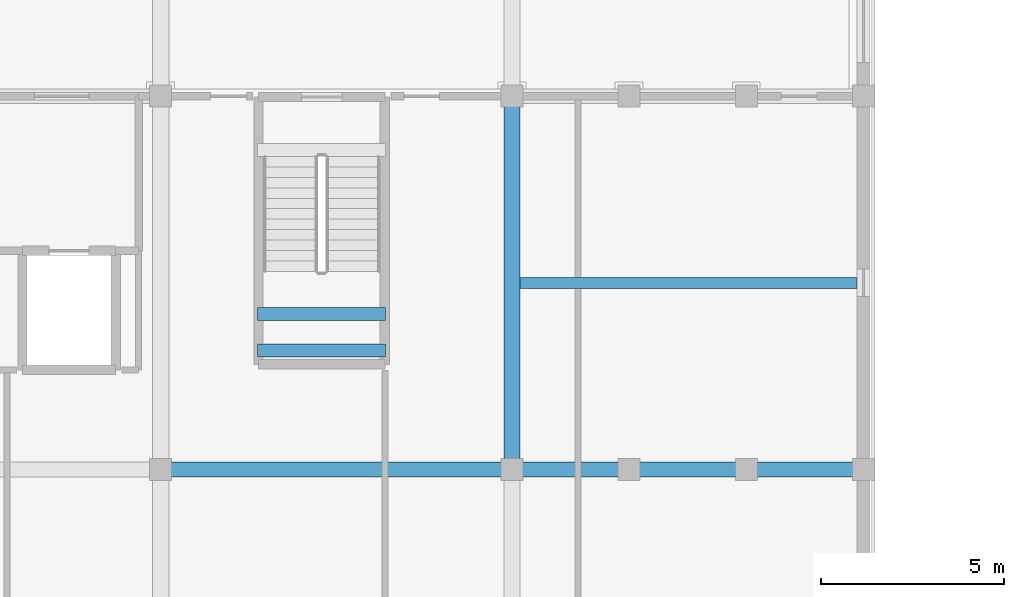
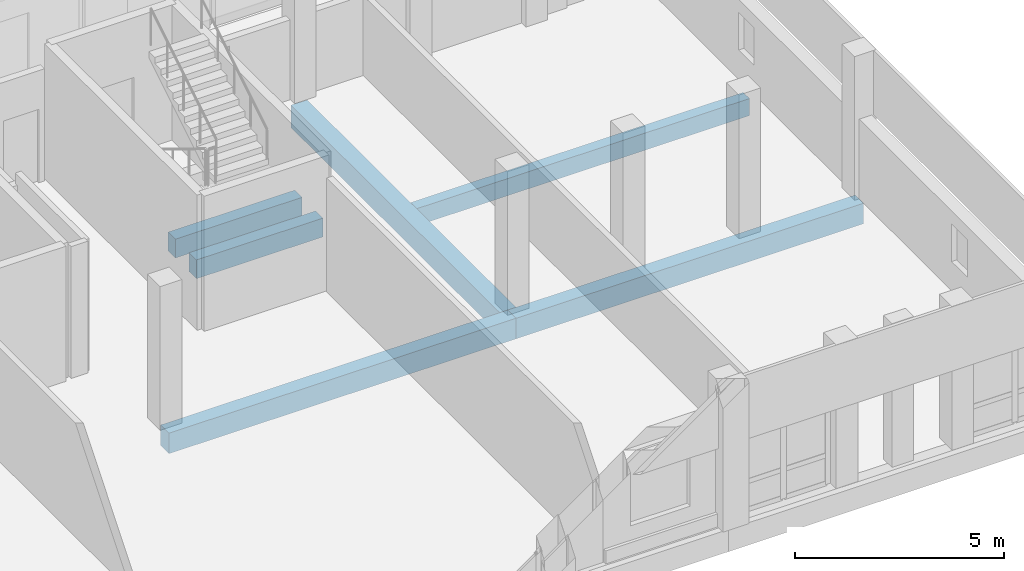
# One storey, part 16 of 93: 6 beams.
"""IFC4 building model written with IfcOpenShell, lengths in metres."""

from ifc_helpers import new_model, si_unit, direction, frame, origin, origin_2d, place, context, subcontext, project, spatial, rectangle, extrude, material, material_profile, profile_set, type_object, element, save


model = new_model("IFC4")

# Units and contexts
model_context = context("Model", 3, precision=1e-05, world=origin(), true_north=direction((0.0, 1.0)))
body_context = subcontext(model_context, "Body", "Model", "MODEL_VIEW")
ifc_project = project(units=[si_unit("LENGTHUNIT", "METRE"), si_unit("AREAUNIT", "SQUARE_METRE"), si_unit("VOLUMEUNIT", "CUBIC_METRE"), si_unit("PLANEANGLEUNIT", "RADIAN"), si_unit("MASSUNIT", "GRAM", prefix="KILO")], contexts=[model_context])

# Site, building, storey
site_placement = place(None, origin())
site = spatial("IfcSite", under=ifc_project, at=site_placement, CompositionType="ELEMENT")
building_placement = place(site_placement, origin())
building = spatial("IfcBuilding", under=site, at=building_placement, Name="Vondelvale Polytechnic", CompositionType="ELEMENT")
storey_placement = place(building_placement, frame((0.0, 0.0, 18.0)))
storey = spatial("IfcBuildingStorey", under=building, at=storey_placement, Name="L04", CompositionType="ELEMENT", Elevation=18.0)

# Beams
ifc_material = material(Name="Concrete N40 (f'c = 40 MPa)", Category="concrete")
ifc_material_profile_1 = material_profile(ifc_material, rectangle(XDim=0.35009765625, YDim=0.550048828125, at=origin_2d()), Name="RC-BM-350x550")
ifc_profile_set_1 = profile_set([ifc_material_profile_1], Name="Concrete N40 (f'c = 40 MPa)")
beam_type_1 = type_object("IfcBeamType", Name="BM-RC350x550", PredefinedType="BEAM", material=ifc_profile_set_1)
for number, where, z_axis, x_axis, name in (
    (1, (31.449951171875, 14.449951171875, 1.625), (1.0, 0.0, 0.0), (0.0, 1.0, 0.0), "L04 STLD B-06"),
    (2, (31.449951171875, 13.449951171875, 1.625), (1.0, 0.0, 0.0), (0.0, 1.0, 0.0), "L04 STLD B-06"),
):
    element("IfcBeam", number, at=place(storey_placement, frame(where, z_axis=z_axis, x_axis=x_axis)), inside=storey, type_object=beam_type_1, Name=name, PredefinedType="BEAM", context=body_context, shape_type="SweptSolid", body=[
        extrude(rectangle(XDim=0.35009765625, YDim=0.550048828125, at=origin_2d()), origin(), (0.0, 0.0, 1.0), 3.5),
    ])
ifc_material_profile_2 = material_profile(ifc_material, rectangle(XDim=0.39990234375, YDim=0.60009765625, at=origin_2d()), Name="RC-BM-400x600")
ifc_profile_set_2 = profile_set([ifc_material_profile_2], Name="Concrete N40 (f'c = 40 MPa)")
beam_type_2 = type_object("IfcBeamType", Name="BM-RC400x600", PredefinedType="BEAM", material=ifc_profile_set_2)
beam_1_placement = place(storey_placement, frame((28.800048828125, 10.199951171875, -0.550048828125), z_axis=(1.0, 0.0, 0.0), x_axis=(0.0, 1.0, 0.0)))
element("IfcBeam", 3, at=beam_1_placement, inside=storey, type_object=beam_type_2, Name="L04 B B-05", PredefinedType="BEAM", context=body_context, shape_type="SweptSolid", body=[
    extrude(rectangle(XDim=0.39990234375, YDim=0.60009765625, at=origin_2d()), origin(), (0.0, 0.0, 1.0), 9.599853515625),
])
beam_2_placement = place(storey_placement, frame((38.39990234375, 10.199951171875, -0.550048828125), z_axis=(1.0, 0.0, 0.0), x_axis=(0.0, 1.0, 0.0)))
element("IfcBeam", 4, at=beam_2_placement, inside=storey, type_object=beam_type_2, Name="L04 B B-05", PredefinedType="BEAM", context=body_context, shape_type="SweptSolid", body=[
    extrude(rectangle(XDim=0.39990234375, YDim=0.60009765625, at=origin_2d()), origin(), (0.0, 0.0, 1.0), 9.60009765625),
])
ifc_material_profile_3 = material_profile(ifc_material, rectangle(XDim=0.449951171875, YDim=0.64990234375, at=origin_2d()), Name="RC-BM-450x650")
ifc_profile_set_3 = profile_set([ifc_material_profile_3], Name="Concrete N40 (f'c = 40 MPa)")
beam_type_3 = type_object("IfcBeamType", Name="BM-RC450x650", PredefinedType="BEAM", material=ifc_profile_set_3)
beam_3_placement = place(storey_placement, frame((38.39990234375, 10.199951171875, -0.574951171875), z_axis=(0.0, 1.0, 0.0), x_axis=(-1.0, 0.0, 0.0)))
element("IfcBeam", 5, at=beam_3_placement, inside=storey, type_object=beam_type_3, Name="L04 B B-04", PredefinedType="BEAM", context=body_context, shape_type="SweptSolid", body=[
    extrude(rectangle(XDim=0.449951171875, YDim=0.64990234375, at=origin_2d()), origin(), (0.0, 0.0, 1.0), 10.199951171875),
])
ifc_material_profile_4 = material_profile(ifc_material, rectangle(XDim=0.300048828125, YDim=0.5, at=origin_2d()), Name="RC-JST-300x500")
ifc_profile_set_4 = profile_set([ifc_material_profile_4], Name="Concrete N40 (f'c = 40 MPa)")
beam_type_4 = type_object("IfcBeamType", Name="JST-RC300x500", PredefinedType="JOIST", material=ifc_profile_set_4)
beam_4_placement = place(storey_placement, frame((38.625, 15.300048828125, -0.5), z_axis=(1.0, 0.0, 0.0), x_axis=(0.0, 1.0, 0.0)))
element("IfcBeam", 6, at=beam_4_placement, inside=storey, type_object=beam_type_4, Name="L04 J J-02", PredefinedType="JOIST", context=body_context, shape_type="SweptSolid", body=[
    extrude(rectangle(XDim=0.300048828125, YDim=0.5, at=origin_2d()), origin(), (0.0, 0.0, 1.0), 9.199951171875),
])

save(model, "model.ifc")
